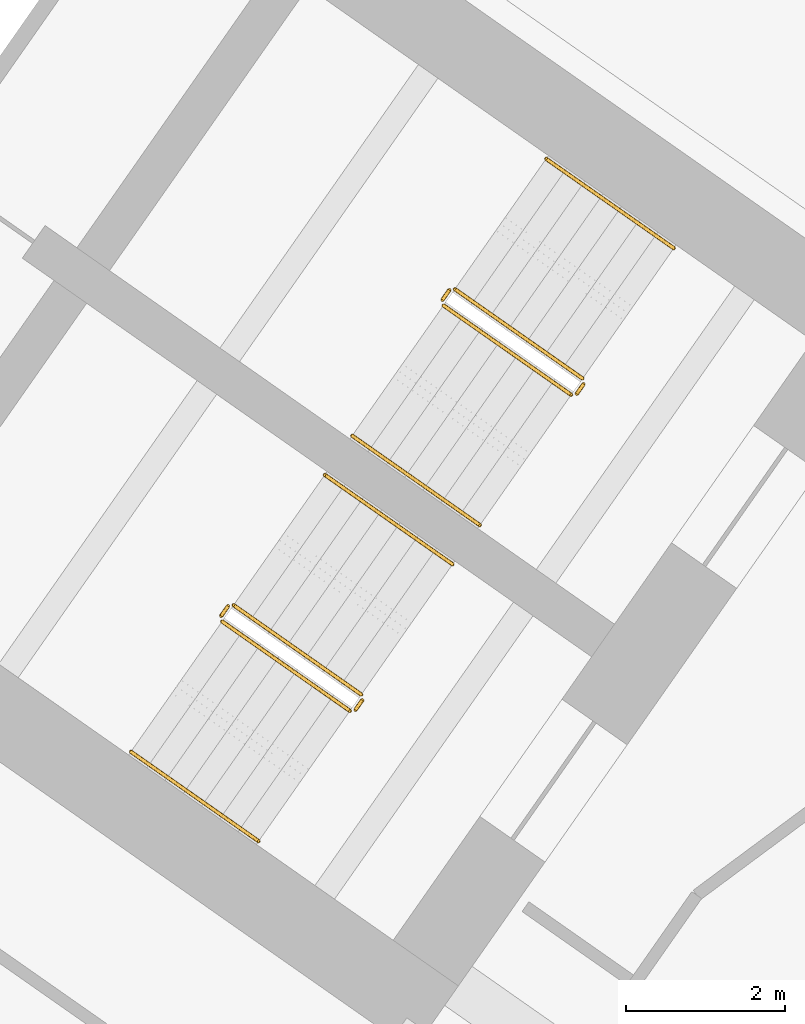
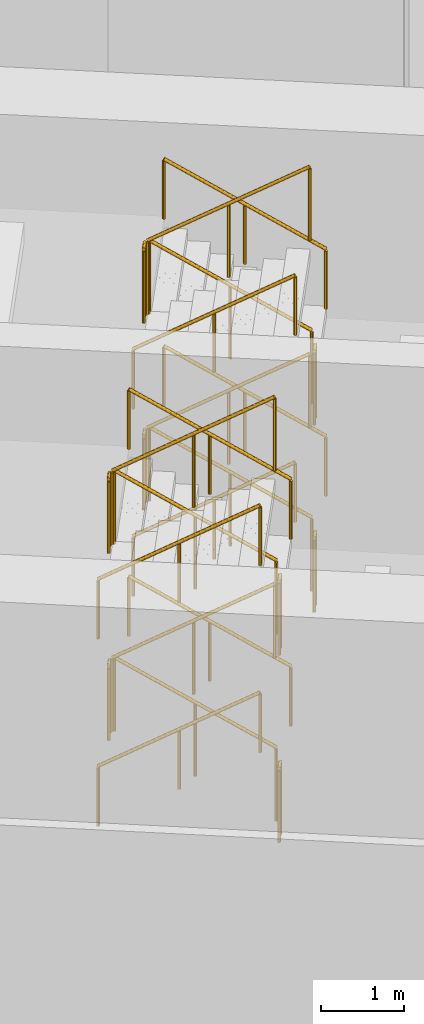
# One storey, part 25 of 26: 24 railings.
"""IFC4 building model written with IfcOpenShell, lengths in metres."""

from ifc_helpers import new_model, si_unit, direction, frame, origin, origin_2d, place, context, subcontext, project, spatial, circle, extrude, material, type_object, element, save


model = new_model("IFC4")

# Units and contexts
model_context = context("Model", 3, precision=1e-05, world=origin(), true_north=direction((0.0, 1.0)))
body_context = subcontext(model_context, "Body", "Model", "MODEL_VIEW")
ifc_project = project(units=[si_unit("LENGTHUNIT", "METRE"), si_unit("AREAUNIT", "SQUARE_METRE"), si_unit("VOLUMEUNIT", "CUBIC_METRE"), si_unit("PLANEANGLEUNIT", "RADIAN"), si_unit("MASSUNIT", "GRAM", prefix="KILO")], contexts=[model_context])

# Site, building, storey
site_placement = place(None, origin())
site = spatial("IfcSite", under=ifc_project, at=site_placement, CompositionType="ELEMENT")
building_placement = place(site_placement, origin())
building = spatial("IfcBuilding", under=site, at=building_placement, Name="Tel Ilan Convention Tower", CompositionType="ELEMENT")
storey_placement = place(building_placement, frame((0.0, 0.0, 32.0)))
storey = spatial("IfcBuildingStorey", under=building, at=storey_placement, Name="L04", CompositionType="ELEMENT", Elevation=32.0)

# Railings
ifc_material_1 = material(Name="Stainless Steel Grade 316", Category="steel")
railing_type_1 = type_object("IfcRailingType", Name="Stainless Steel Stair Guard 1100 mm", PredefinedType="GUARDRAIL", material=ifc_material_1)
railing_1_placement = place(storey_placement, frame((23.6787109375, -7.8515625, 0.171875)))
element("IfcRailing", 1, at=railing_1_placement, inside=storey, type_object=railing_type_1, Name="L04 S3 stair guard 1", PredefinedType="GUARDRAIL", context=body_context, shape_type="SweptSolid", body=[
    extrude(circle(Radius=0.02392578125, at=origin_2d()), frame((0.0, 0.0, 1.076171875), z_axis=(-0.698094737943, 0.488857400886, 0.523146421621), x_axis=(-0.573612813533, -0.819126571508, 0.0)), (0.0, 0.0, 1.0), 2.2998046875),
    extrude(circle(Radius=0.02099609375, at=origin_2d()), origin(), (0.0, 0.0, 1.0), 1.052001953125),
    extrude(circle(Radius=0.02099609375, at=origin_2d()), frame((-0.802734375, 0.56201171875, 0.6015625)), (0.0, 0.0, 1.0), 1.052001953125),
    extrude(circle(Radius=0.02099609375, at=origin_2d()), frame((-1.60546875, 1.124267578125, 1.203125)), (0.0, 0.0, 1.0), 1.052001953125),
])
railing_2_placement = place(storey_placement, frame((22.003662109375, -6.739501953125, 1.375)))
element("IfcRailing", 2, at=railing_2_placement, inside=storey, type_object=railing_type_1, Name="L04 S3 stair guard 2", PredefinedType="GUARDRAIL", context=body_context, shape_type="SweptSolid", body=[
    extrude(circle(Radius=0.02392578125, at=origin_2d()), frame((0.0, 0.0, 1.076171875), z_axis=(-0.57368046593, -0.819079192149, 0.0), x_axis=(0.819079192149, -0.57368046593, 0.0)), (0.0, 0.0, 1.0), 0.150146484375),
    extrude(circle(Radius=0.02099609375, at=origin_2d()), origin(), (0.0, 0.0, 1.0), 1.052001953125),
    extrude(circle(Radius=0.02099609375, at=origin_2d()), frame((-0.086181640625, -0.123046875, 0.0)), (0.0, 0.0, 1.0), 1.052001953125),
])
railing_3_placement = place(storey_placement, frame((21.929931640625, -6.93212890625, 1.546875)))
element("IfcRailing", 3, at=railing_3_placement, inside=storey, type_object=railing_type_1, Name="L04 S3 stair guard 3", PredefinedType="GUARDRAIL", context=body_context, shape_type="SweptSolid", body=[
    extrude(circle(Radius=0.02392578125, at=origin_2d()), frame((0.0, 0.0, 1.076171875), z_axis=(0.698094737943, -0.488857400886, 0.523146421621), x_axis=(0.573612813533, 0.819126571508, 0.0)), (0.0, 0.0, 1.0), 2.2998046875),
    extrude(circle(Radius=0.02099609375, at=origin_2d()), origin(), (0.0, 0.0, 1.0), 1.052001953125),
    extrude(circle(Radius=0.02099609375, at=origin_2d()), frame((0.802734375, -0.56201171875, 0.6015625)), (0.0, 0.0, 1.0), 1.052001953125),
    extrude(circle(Radius=0.02099609375, at=origin_2d()), frame((1.60546875, -1.124267578125, 1.203125)), (0.0, 0.0, 1.0), 1.052001953125),
])
railing_4_placement = place(storey_placement, frame((23.691162109375, -7.921142578125, 2.75)))
element("IfcRailing", 4, at=railing_4_placement, inside=storey, type_object=railing_type_1, Name="L04 S3 stair guard 4", PredefinedType="GUARDRAIL", context=body_context, shape_type="SweptSolid", body=[
    extrude(circle(Radius=0.02392578125, at=origin_2d()), frame((0.0, 0.0, 1.076171875), z_axis=(-0.574444878118, -0.818543268254, 0.0), x_axis=(0.818543268254, -0.574444878118, 0.0)), (0.0, 0.0, 1.0), 0.150146484375),
    extrude(circle(Radius=0.02099609375, at=origin_2d()), origin(), (0.0, 0.0, 1.0), 1.052001953125),
    extrude(circle(Radius=0.02099609375, at=origin_2d()), frame((-0.086181640625, -0.122802734375, 0.0)), (0.0, 0.0, 1.0), 1.052001953125),
])
railing_5_placement = place(storey_placement, frame((23.6787109375, -7.8515625, 2.921875)))
element("IfcRailing", 5, at=railing_5_placement, inside=storey, type_object=railing_type_1, Name="L04 S3 stair guard 5", PredefinedType="GUARDRAIL", context=body_context, shape_type="SweptSolid", body=[
    extrude(circle(Radius=0.02392578125, at=origin_2d()), frame((0.0, 0.0, 1.076171875), z_axis=(-0.698094737943, 0.488857400886, 0.523146421621), x_axis=(-0.573612813533, -0.819126571508, 0.0)), (0.0, 0.0, 1.0), 2.2998046875),
    extrude(circle(Radius=0.02099609375, at=origin_2d()), origin(), (0.0, 0.0, 1.0), 1.052001953125),
    extrude(circle(Radius=0.02099609375, at=origin_2d()), frame((-0.802734375, 0.56201171875, 0.6015625)), (0.0, 0.0, 1.0), 1.052001953125),
    extrude(circle(Radius=0.02099609375, at=origin_2d()), frame((-1.60546875, 1.124267578125, 1.203125)), (0.0, 0.0, 1.0), 1.052001953125),
])
railing_6_placement = place(storey_placement, frame((22.003662109375, -6.739501953125, 4.125)))
element("IfcRailing", 6, at=railing_6_placement, inside=storey, type_object=railing_type_1, Name="L04 S3 stair guard 6", PredefinedType="GUARDRAIL", context=body_context, shape_type="SweptSolid", body=[
    extrude(circle(Radius=0.02392578125, at=origin_2d()), frame((0.0, 0.0, 1.076171875), z_axis=(-0.57368046593, -0.819079192149, 0.0), x_axis=(0.819079192149, -0.57368046593, 0.0)), (0.0, 0.0, 1.0), 0.150146484375),
    extrude(circle(Radius=0.02099609375, at=origin_2d()), origin(), (0.0, 0.0, 1.0), 1.052001953125),
    extrude(circle(Radius=0.02099609375, at=origin_2d()), frame((-0.086181640625, -0.123046875, 0.0)), (0.0, 0.0, 1.0), 1.052001953125),
])
railing_7_placement = place(storey_placement, frame((21.929931640625, -6.93212890625, 4.296875)))
element("IfcRailing", 7, at=railing_7_placement, inside=storey, type_object=railing_type_1, Name="L04 S3 stair guard 7", PredefinedType="GUARDRAIL", context=body_context, shape_type="SweptSolid", body=[
    extrude(circle(Radius=0.02392578125, at=origin_2d()), frame((0.0, 0.0, 1.076171875), z_axis=(0.698094737943, -0.488857400886, 0.523146421621), x_axis=(0.573612813533, 0.819126571508, 0.0)), (0.0, 0.0, 1.0), 2.2998046875),
    extrude(circle(Radius=0.02099609375, at=origin_2d()), origin(), (0.0, 0.0, 1.0), 1.052001953125),
    extrude(circle(Radius=0.02099609375, at=origin_2d()), frame((0.802734375, -0.56201171875, 0.6015625)), (0.0, 0.0, 1.0), 1.052001953125),
    extrude(circle(Radius=0.02099609375, at=origin_2d()), frame((1.60546875, -1.124267578125, 1.203125)), (0.0, 0.0, 1.0), 1.052001953125),
])
railing_8_placement = place(storey_placement, frame((23.691162109375, -7.921142578125, 0.0)))
element("IfcRailing", 8, at=railing_8_placement, inside=storey, type_object=railing_type_1, Name="L04 S3 stair guard 8", PredefinedType="GUARDRAIL", context=body_context, shape_type="SweptSolid", body=[
    extrude(circle(Radius=0.02392578125, at=origin_2d()), frame((0.0, 0.0, 1.076171875), z_axis=(-0.574444878118, -0.818543268254, 0.0), x_axis=(0.818543268254, -0.574444878118, 0.0)), (0.0, 0.0, 1.0), 0.150146484375),
    extrude(circle(Radius=0.02099609375, at=origin_2d()), origin(), (0.0, 0.0, 1.0), 1.052001953125),
    extrude(circle(Radius=0.02099609375, at=origin_2d()), frame((-0.086181640625, -0.122802734375, 0.0)), (0.0, 0.0, 1.0), 1.052001953125),
])
railing_9_placement = place(storey_placement, frame((20.89697265625, -11.824462890625, 0.171875)))
element("IfcRailing", 9, at=railing_9_placement, inside=storey, type_object=railing_type_1, Name="L04 S4 stair guard 1", PredefinedType="GUARDRAIL", context=body_context, shape_type="SweptSolid", body=[
    extrude(circle(Radius=0.02392578125, at=origin_2d()), frame((0.0, 0.0, 1.076171875), z_axis=(-0.698094737943, 0.488857400886, 0.523146421621), x_axis=(-0.573612813533, -0.819126571508, 0.0)), (0.0, 0.0, 1.0), 2.2998046875),
    extrude(circle(Radius=0.02099609375, at=origin_2d()), origin(), (0.0, 0.0, 1.0), 1.052001953125),
    extrude(circle(Radius=0.02099609375, at=origin_2d()), frame((-0.802734375, 0.56201171875, 0.6015625)), (0.0, 0.0, 1.0), 1.052001953125),
    extrude(circle(Radius=0.02099609375, at=origin_2d()), frame((-1.60546875, 1.124267578125, 1.203125)), (0.0, 0.0, 1.0), 1.052001953125),
])
railing_10_placement = place(storey_placement, frame((19.2216796875, -10.71240234375, 1.375)))
element("IfcRailing", 10, at=railing_10_placement, inside=storey, type_object=railing_type_1, Name="L04 S4 stair guard 2", PredefinedType="GUARDRAIL", context=body_context, shape_type="SweptSolid", body=[
    extrude(circle(Radius=0.02392578125, at=origin_2d()), frame((0.0, 0.0, 1.076171875), z_axis=(-0.572588637393, -0.819842821722, 0.0), x_axis=(0.819842821722, -0.572588637393, 0.0)), (0.0, 0.0, 1.0), 0.150146484375),
    extrude(circle(Radius=0.02099609375, at=origin_2d()), origin(), (0.0, 0.0, 1.0), 1.052001953125),
    extrude(circle(Radius=0.02099609375, at=origin_2d()), frame((-0.0859375, -0.123046875, 0.0)), (0.0, 0.0, 1.0), 1.052001953125),
])
railing_11_placement = place(storey_placement, frame((19.14794921875, -10.905029296875, 1.546875)))
element("IfcRailing", 11, at=railing_11_placement, inside=storey, type_object=railing_type_1, Name="L04 S4 stair guard 3", PredefinedType="GUARDRAIL", context=body_context, shape_type="SweptSolid", body=[
    extrude(circle(Radius=0.02392578125, at=origin_2d()), frame((0.0, 0.0, 1.076171875), z_axis=(0.698149155229, -0.488821173762, 0.523107653485), x_axis=(0.573554290663, 0.819167550421, 0.0)), (0.0, 0.0, 1.0), 2.300048828125),
    extrude(circle(Radius=0.02099609375, at=origin_2d()), origin(), (0.0, 0.0, 1.0), 1.052001953125),
    extrude(circle(Radius=0.02099609375, at=origin_2d()), frame((0.802734375, -0.56201171875, 0.6015625)), (0.0, 0.0, 1.0), 1.052001953125),
    extrude(circle(Radius=0.02099609375, at=origin_2d()), frame((1.605712890625, -1.124267578125, 1.203125)), (0.0, 0.0, 1.0), 1.052001953125),
])
railing_12_placement = place(storey_placement, frame((20.9091796875, -11.89404296875, 2.75)))
element("IfcRailing", 12, at=railing_12_placement, inside=storey, type_object=railing_type_1, Name="L04 S4 stair guard 4", PredefinedType="GUARDRAIL", context=body_context, shape_type="SweptSolid", body=[
    extrude(circle(Radius=0.02392578125, at=origin_2d()), frame((0.0, 0.0, 1.076171875), z_axis=(-0.573353020881, -0.819308436089, 0.0), x_axis=(0.819308436089, -0.573353020881, 0.0)), (0.0, 0.0, 1.0), 0.14990234375),
    extrude(circle(Radius=0.02099609375, at=origin_2d()), origin(), (0.0, 0.0, 1.0), 1.052001953125),
    extrude(circle(Radius=0.02099609375, at=origin_2d()), frame((-0.0859375, -0.122802734375, 0.0)), (0.0, 0.0, 1.0), 1.052001953125),
])
railing_13_placement = place(storey_placement, frame((20.89697265625, -11.824462890625, 2.921875)))
element("IfcRailing", 13, at=railing_13_placement, inside=storey, type_object=railing_type_1, Name="L04 S4 stair guard 5", PredefinedType="GUARDRAIL", context=body_context, shape_type="SweptSolid", body=[
    extrude(circle(Radius=0.02392578125, at=origin_2d()), frame((0.0, 0.0, 1.076171875), z_axis=(-0.698094737943, 0.488857400886, 0.523146421621), x_axis=(-0.573612813533, -0.819126571508, 0.0)), (0.0, 0.0, 1.0), 2.2998046875),
    extrude(circle(Radius=0.02099609375, at=origin_2d()), origin(), (0.0, 0.0, 1.0), 1.052001953125),
    extrude(circle(Radius=0.02099609375, at=origin_2d()), frame((-0.802734375, 0.56201171875, 0.6015625)), (0.0, 0.0, 1.0), 1.052001953125),
    extrude(circle(Radius=0.02099609375, at=origin_2d()), frame((-1.60546875, 1.124267578125, 1.203125)), (0.0, 0.0, 1.0), 1.052001953125),
])
railing_14_placement = place(storey_placement, frame((19.2216796875, -10.71240234375, 4.125)))
element("IfcRailing", 14, at=railing_14_placement, inside=storey, type_object=railing_type_1, Name="L04 S4 stair guard 6", PredefinedType="GUARDRAIL", context=body_context, shape_type="SweptSolid", body=[
    extrude(circle(Radius=0.02392578125, at=origin_2d()), frame((0.0, 0.0, 1.076171875), z_axis=(-0.572588637393, -0.819842821722, 0.0), x_axis=(0.819842821722, -0.572588637393, 0.0)), (0.0, 0.0, 1.0), 0.150146484375),
    extrude(circle(Radius=0.02099609375, at=origin_2d()), origin(), (0.0, 0.0, 1.0), 1.052001953125),
    extrude(circle(Radius=0.02099609375, at=origin_2d()), frame((-0.0859375, -0.123046875, 0.0)), (0.0, 0.0, 1.0), 1.052001953125),
])
railing_15_placement = place(storey_placement, frame((19.14794921875, -10.905029296875, 4.296875)))
element("IfcRailing", 15, at=railing_15_placement, inside=storey, type_object=railing_type_1, Name="L04 S4 stair guard 7", PredefinedType="GUARDRAIL", context=body_context, shape_type="SweptSolid", body=[
    extrude(circle(Radius=0.02392578125, at=origin_2d()), frame((0.0, 0.0, 1.076171875), z_axis=(0.698149155229, -0.488821173762, 0.523107653485), x_axis=(0.573554290663, 0.819167550421, 0.0)), (0.0, 0.0, 1.0), 2.300048828125),
    extrude(circle(Radius=0.02099609375, at=origin_2d()), origin(), (0.0, 0.0, 1.0), 1.052001953125),
    extrude(circle(Radius=0.02099609375, at=origin_2d()), frame((0.802734375, -0.56201171875, 0.6015625)), (0.0, 0.0, 1.0), 1.052001953125),
    extrude(circle(Radius=0.02099609375, at=origin_2d()), frame((1.605712890625, -1.124267578125, 1.203125)), (0.0, 0.0, 1.0), 1.052001953125),
])
railing_16_placement = place(storey_placement, frame((20.9091796875, -11.89404296875, 0.0)))
element("IfcRailing", 16, at=railing_16_placement, inside=storey, type_object=railing_type_1, Name="L04 S4 stair guard 8", PredefinedType="GUARDRAIL", context=body_context, shape_type="SweptSolid", body=[
    extrude(circle(Radius=0.02392578125, at=origin_2d()), frame((0.0, 0.0, 1.076171875), z_axis=(-0.573353020881, -0.819308436089, 0.0), x_axis=(0.819308436089, -0.573353020881, 0.0)), (0.0, 0.0, 1.0), 0.14990234375),
    extrude(circle(Radius=0.02099609375, at=origin_2d()), origin(), (0.0, 0.0, 1.0), 1.052001953125),
    extrude(circle(Radius=0.02099609375, at=origin_2d()), frame((-0.0859375, -0.122802734375, 0.0)), (0.0, 0.0, 1.0), 1.052001953125),
])
ifc_material_2 = material(Name="Stainless Steel Grade 316", Category="steel")
railing_type_2 = type_object("IfcRailingType", Name="Stainless Steel Stair Handrail 900 mm", PredefinedType="HANDRAIL", material=ifc_material_2)
railing_17_placement = place(storey_placement, frame((24.825927734375, -6.213134765625, 0.171875)))
element("IfcRailing", 17, at=railing_17_placement, inside=storey, type_object=railing_type_2, Name="L04 S3 stair handrail 1", PredefinedType="HANDRAIL", context=body_context, shape_type="SweptSolid", body=[
    extrude(circle(Radius=0.02392578125, at=origin_2d()), frame((0.0, 0.0, 0.8759765625), z_axis=(-0.698130965226, 0.488776606433, 0.523173570048), x_axis=(-0.573529226717, -0.819185098803, 0.0)), (0.0, 0.0, 1.0), 2.299560546875),
    extrude(circle(Radius=0.02099609375, at=origin_2d()), origin(), (0.0, 0.0, 1.0), 0.851806640625),
    extrude(circle(Radius=0.02099609375, at=origin_2d()), frame((-0.802734375, 0.56201171875, 0.6015625)), (0.0, 0.0, 1.0), 0.851806640625),
    extrude(circle(Radius=0.02099609375, at=origin_2d()), frame((-1.60546875, 1.1240234375, 1.203125)), (0.0, 0.0, 1.0), 0.851806640625),
])
railing_18_placement = place(storey_placement, frame((20.78271484375, -8.5703125, 1.546875)))
element("IfcRailing", 18, at=railing_18_placement, inside=storey, type_object=railing_type_2, Name="L04 S3 stair handrail 2", PredefinedType="HANDRAIL", context=body_context, shape_type="SweptSolid", body=[
    extrude(circle(Radius=0.02392578125, at=origin_2d()), frame((0.0, 0.0, 0.8759765625), z_axis=(0.698094737943, -0.488857400886, 0.523146421621), x_axis=(0.573612813533, 0.819126571508, 0.0)), (0.0, 0.0, 1.0), 2.2998046875),
    extrude(circle(Radius=0.02099609375, at=origin_2d()), origin(), (0.0, 0.0, 1.0), 0.851806640625),
    extrude(circle(Radius=0.02099609375, at=origin_2d()), frame((0.802734375, -0.56201171875, 0.6015625)), (0.0, 0.0, 1.0), 0.851806640625),
    extrude(circle(Radius=0.02099609375, at=origin_2d()), frame((1.60546875, -1.124267578125, 1.203125)), (0.0, 0.0, 1.0), 0.851806640625),
])
railing_19_placement = place(storey_placement, frame((24.825927734375, -6.213134765625, 2.921875)))
element("IfcRailing", 19, at=railing_19_placement, inside=storey, type_object=railing_type_2, Name="L04 S3 stair handrail 3", PredefinedType="HANDRAIL", context=body_context, shape_type="SweptSolid", body=[
    extrude(circle(Radius=0.02392578125, at=origin_2d()), frame((0.0, 0.0, 0.8759765625), z_axis=(-0.698130965226, 0.488776606433, 0.523173570048), x_axis=(-0.573529226717, -0.819185098803, 0.0)), (0.0, 0.0, 1.0), 2.299560546875),
    extrude(circle(Radius=0.02099609375, at=origin_2d()), origin(), (0.0, 0.0, 1.0), 0.851806640625),
    extrude(circle(Radius=0.02099609375, at=origin_2d()), frame((-0.802734375, 0.56201171875, 0.6015625)), (0.0, 0.0, 1.0), 0.851806640625),
    extrude(circle(Radius=0.02099609375, at=origin_2d()), frame((-1.60546875, 1.1240234375, 1.203125)), (0.0, 0.0, 1.0), 0.851806640625),
])
railing_20_placement = place(storey_placement, frame((20.78271484375, -8.5703125, 4.296875)))
element("IfcRailing", 20, at=railing_20_placement, inside=storey, type_object=railing_type_2, Name="L04 S3 stair handrail 4", PredefinedType="HANDRAIL", context=body_context, shape_type="SweptSolid", body=[
    extrude(circle(Radius=0.02392578125, at=origin_2d()), frame((0.0, 0.0, 0.8759765625), z_axis=(0.698094737943, -0.488857400886, 0.523146421621), x_axis=(0.573612813533, 0.819126571508, 0.0)), (0.0, 0.0, 1.0), 2.2998046875),
    extrude(circle(Radius=0.02099609375, at=origin_2d()), origin(), (0.0, 0.0, 1.0), 0.851806640625),
    extrude(circle(Radius=0.02099609375, at=origin_2d()), frame((0.802734375, -0.56201171875, 0.6015625)), (0.0, 0.0, 1.0), 0.851806640625),
    extrude(circle(Radius=0.02099609375, at=origin_2d()), frame((1.60546875, -1.124267578125, 1.203125)), (0.0, 0.0, 1.0), 0.851806640625),
])
railing_21_placement = place(storey_placement, frame((22.044189453125, -10.18603515625, 0.171875)))
element("IfcRailing", 21, at=railing_21_placement, inside=storey, type_object=railing_type_2, Name="L04 S4 stair handrail 1", PredefinedType="HANDRAIL", context=body_context, shape_type="SweptSolid", body=[
    extrude(circle(Radius=0.02392578125, at=origin_2d()), frame((0.0, 0.0, 0.8759765625), z_axis=(-0.698185379967, 0.488740381537, 0.523134795876), x_axis=(-0.573470704013, -0.8192260687, 0.0)), (0.0, 0.0, 1.0), 2.2998046875),
    extrude(circle(Radius=0.02099609375, at=origin_2d()), origin(), (0.0, 0.0, 1.0), 0.851806640625),
    extrude(circle(Radius=0.02099609375, at=origin_2d()), frame((-0.802734375, 0.56201171875, 0.6015625)), (0.0, 0.0, 1.0), 0.851806640625),
    extrude(circle(Radius=0.02099609375, at=origin_2d()), frame((-1.605712890625, 1.1240234375, 1.203125)), (0.0, 0.0, 1.0), 0.851806640625),
])
railing_22_placement = place(storey_placement, frame((18.0009765625, -12.543212890625, 1.546875)))
element("IfcRailing", 22, at=railing_22_placement, inside=storey, type_object=railing_type_2, Name="L04 S4 stair handrail 2", PredefinedType="HANDRAIL", context=body_context, shape_type="SweptSolid", body=[
    extrude(circle(Radius=0.02392578125, at=origin_2d()), frame((0.0, 0.0, 0.8759765625), z_axis=(0.698094737943, -0.488857400886, 0.523146421621), x_axis=(0.573612813533, 0.819126571508, 0.0)), (0.0, 0.0, 1.0), 2.2998046875),
    extrude(circle(Radius=0.02099609375, at=origin_2d()), origin(), (0.0, 0.0, 1.0), 0.851806640625),
    extrude(circle(Radius=0.02099609375, at=origin_2d()), frame((0.802734375, -0.56201171875, 0.6015625)), (0.0, 0.0, 1.0), 0.851806640625),
    extrude(circle(Radius=0.02099609375, at=origin_2d()), frame((1.60546875, -1.124267578125, 1.203125)), (0.0, 0.0, 1.0), 0.851806640625),
])
railing_23_placement = place(storey_placement, frame((22.044189453125, -10.18603515625, 2.921875)))
element("IfcRailing", 23, at=railing_23_placement, inside=storey, type_object=railing_type_2, Name="L04 S4 stair handrail 3", PredefinedType="HANDRAIL", context=body_context, shape_type="SweptSolid", body=[
    extrude(circle(Radius=0.02392578125, at=origin_2d()), frame((0.0, 0.0, 0.8759765625), z_axis=(-0.698185379967, 0.488740381537, 0.523134795876), x_axis=(-0.573470704013, -0.8192260687, 0.0)), (0.0, 0.0, 1.0), 2.2998046875),
    extrude(circle(Radius=0.02099609375, at=origin_2d()), origin(), (0.0, 0.0, 1.0), 0.851806640625),
    extrude(circle(Radius=0.02099609375, at=origin_2d()), frame((-0.802734375, 0.56201171875, 0.6015625)), (0.0, 0.0, 1.0), 0.851806640625),
    extrude(circle(Radius=0.02099609375, at=origin_2d()), frame((-1.605712890625, 1.1240234375, 1.203125)), (0.0, 0.0, 1.0), 0.851806640625),
])
railing_24_placement = place(storey_placement, frame((18.0009765625, -12.543212890625, 4.296875)))
element("IfcRailing", 24, at=railing_24_placement, inside=storey, type_object=railing_type_2, Name="L04 S4 stair handrail 4", PredefinedType="HANDRAIL", context=body_context, shape_type="SweptSolid", body=[
    extrude(circle(Radius=0.02392578125, at=origin_2d()), frame((0.0, 0.0, 0.8759765625), z_axis=(0.698094737943, -0.488857400886, 0.523146421621), x_axis=(0.573612813533, 0.819126571508, 0.0)), (0.0, 0.0, 1.0), 2.2998046875),
    extrude(circle(Radius=0.02099609375, at=origin_2d()), origin(), (0.0, 0.0, 1.0), 0.851806640625),
    extrude(circle(Radius=0.02099609375, at=origin_2d()), frame((0.802734375, -0.56201171875, 0.6015625)), (0.0, 0.0, 1.0), 0.851806640625),
    extrude(circle(Radius=0.02099609375, at=origin_2d()), frame((1.60546875, -1.124267578125, 1.203125)), (0.0, 0.0, 1.0), 0.851806640625),
])

save(model, "model.ifc")
